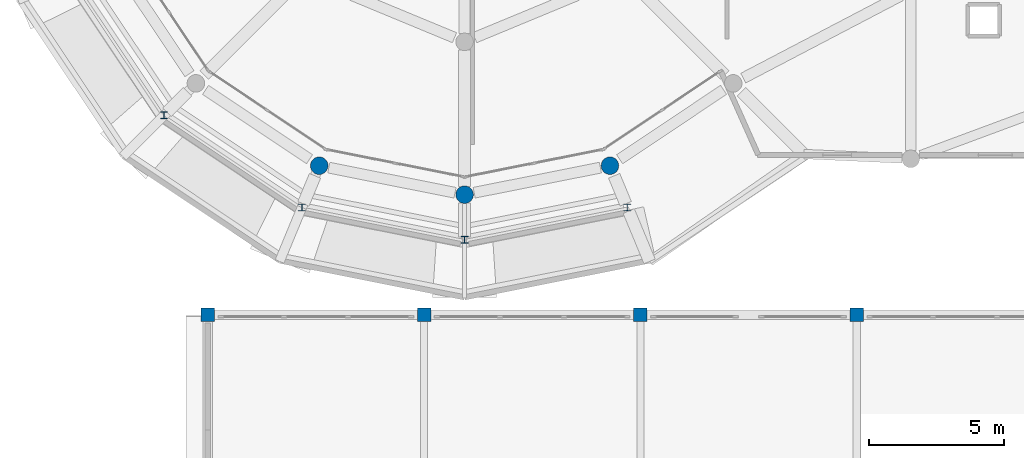
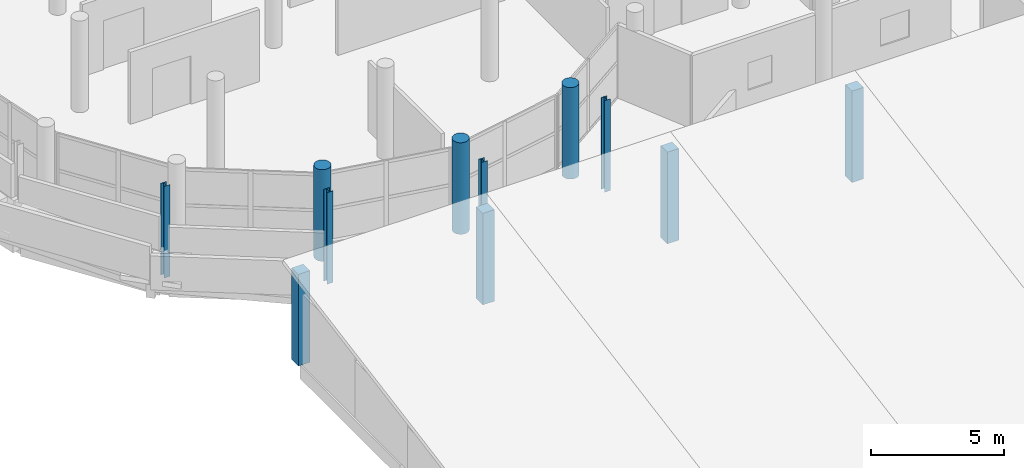
# One storey, part 1 of 83: 11 columns.
"""IFC4 building model written with IfcOpenShell, lengths in metres."""

from ifc_helpers import new_model, si_unit, direction, frame, origin, origin_2d, place, context, subcontext, project, spatial, rectangle, circle, i_section, extrude, material, material_profile, profile_set, type_object, element, save


model = new_model("IFC4")

# Units and contexts
model_context = context("Model", 3, precision=1e-05, world=origin(), true_north=direction((0.0, 1.0)))
body_context = subcontext(model_context, "Body", "Model", "MODEL_VIEW")
ifc_project = project(units=[si_unit("LENGTHUNIT", "METRE"), si_unit("AREAUNIT", "SQUARE_METRE"), si_unit("VOLUMEUNIT", "CUBIC_METRE"), si_unit("PLANEANGLEUNIT", "RADIAN"), si_unit("MASSUNIT", "GRAM", prefix="KILO")], contexts=[model_context])

# Site, building, storey
site_placement = place(None, origin())
site = spatial("IfcSite", under=ifc_project, at=site_placement, CompositionType="ELEMENT")
building_placement = place(site_placement, origin())
building = spatial("IfcBuilding", under=site, at=building_placement, Name="Jelvoka-Kovrelna Polytechnic", CompositionType="ELEMENT")
storey_placement = place(building_placement, frame((0.0, 0.0, 13.800048828125)))
storey = spatial("IfcBuildingStorey", under=building, at=storey_placement, Name="L04", CompositionType="ELEMENT", Elevation=13.800048828125)

# Columns
ifc_material_1 = material(Name="Concrete C40/50", Category="concrete")
ifc_material_profile_1 = material_profile(ifc_material_1, rectangle(XDim=0.5, YDim=0.5, at=origin_2d()), Name="RC 500x500")
ifc_profile_set_1 = profile_set([ifc_material_profile_1], Name="Concrete C40/50")
column_type_1 = type_object("IfcColumnType", Name="Col_RC_500", PredefinedType="COLUMN", material=ifc_profile_set_1)
for number, where, z_axis, x_axis, name in (
    (1, (16.0, 24.0, 0.0), (0.0, 0.0, 1.0), (1.0, 0.0, 0.0), "L04 V4 sloped roof column 1671"),
    (2, (24.0, 24.0, 0.0), (0.0, 0.0, 1.0), (1.0, 0.0, 0.0), "L04 V4 sloped roof column 1673"),
    (3, (32.0, 24.0, 0.0), (0.0, 0.0, 1.0), (1.0, 0.0, 0.0), "L04 V4 sloped roof column 1675"),
    (4, (40.0, 24.0, 0.0), (0.0, 0.0, 1.0), (1.0, 0.0, 0.0), "L04 V4 sloped roof column 1677"),
):
    element("IfcColumn", number, at=place(storey_placement, frame(where, z_axis=z_axis, x_axis=x_axis)), inside=storey, type_object=column_type_1, Name=name, PredefinedType="COLUMN", context=body_context, shape_type="SweptSolid", body=[
        extrude(rectangle(XDim=0.5, YDim=0.5, at=origin_2d()), origin(), (0.0, 0.0, 1.0), 4.199951171875),
    ])
ifc_material_2 = material(Name="Concrete C40/50", Category="concrete")
ifc_material_profile_2 = material_profile(ifc_material_2, circle(Radius=0.324951171875, at=origin_2d()), Name="RC D650")
ifc_profile_set_2 = profile_set([ifc_material_profile_2], Name="Concrete C40/50")
column_type_2 = type_object("IfcColumnType", Name="Col_RC_D650", PredefinedType="COLUMN", material=ifc_profile_set_2)
for number, where, z_axis, x_axis, name in (
    (5, (25.5, 28.449951171875, 0.0), (0.0, 0.0, 1.0), (1.0, 0.0, 0.0), "L04 column 0412"),
    (6, (20.123291015625, 29.51953125, 0.0), (0.0, 0.0, 1.0), (1.0, 0.0, 0.0), "L04 column 0418"),
    (7, (30.876708984375, 29.51953125, 0.0), (0.0, 0.0, 1.0), (1.0, 0.0, 0.0), "L04 column 0424"),
):
    element("IfcColumn", number, at=place(storey_placement, frame(where, z_axis=z_axis, x_axis=x_axis)), inside=storey, type_object=column_type_2, Name=name, PredefinedType="COLUMN", context=body_context, shape_type="SweptSolid", body=[
        extrude(circle(Radius=0.324951171875, at=origin_2d()), origin(), (0.0, 0.0, 1.0), 4.199951171875),
    ])
ifc_material_3 = material(Name="Structural steel S355JR", Category="steel")
ifc_material_profile_3 = material_profile(ifc_material_3, i_section(OverallWidth=0.254638671875, OverallDepth=0.254150390625, WebThickness=0.008544921875, FlangeThickness=0.01416015625, FilletRadius=0.0126953125, at=origin_2d()), Name="254x254x73 UC")
ifc_profile_set_3 = profile_set([ifc_material_profile_3], Name="Structural steel S355JR")
column_type_3 = type_object("IfcColumnType", Name="Col_Steel_UC254", PredefinedType="COLUMN", material=ifc_profile_set_3)
for number, where, z_axis, x_axis, name in (
    (8, (14.38427734375, 31.38427734375, 0.0), (0.0, 0.0, 1.0), (1.0, 0.0, 0.0), "L04 recessed rotunda gallery post 1768"),
    (9, (19.484130859375, 27.9765625, 0.0), (0.0, 0.0, 1.0), (1.0, 0.0, 0.0), "L04 recessed rotunda gallery post 1774"),
    (10, (25.5, 26.780029296875, 0.0), (0.0, 0.0, 1.0), (1.0, 0.0, 0.0), "L04 recessed rotunda gallery post 1780"),
    (11, (31.515869140625, 27.9765625, 0.0), (0.0, 0.0, 1.0), (1.0, 0.0, 0.0), "L04 recessed rotunda gallery post 1786"),
):
    element("IfcColumn", number, at=place(storey_placement, frame(where, z_axis=z_axis, x_axis=x_axis)), inside=storey, type_object=column_type_3, Name=name, PredefinedType="COLUMN", context=body_context, shape_type="SweptSolid", body=[
        extrude(i_section(OverallWidth=0.254638671875, OverallDepth=0.254150390625, WebThickness=0.008544921875, FlangeThickness=0.01416015625, FilletRadius=0.0126953125, at=origin_2d()), origin(), (0.0, 0.0, 1.0), 4.199951171875),
    ])

save(model, "model.ifc")
